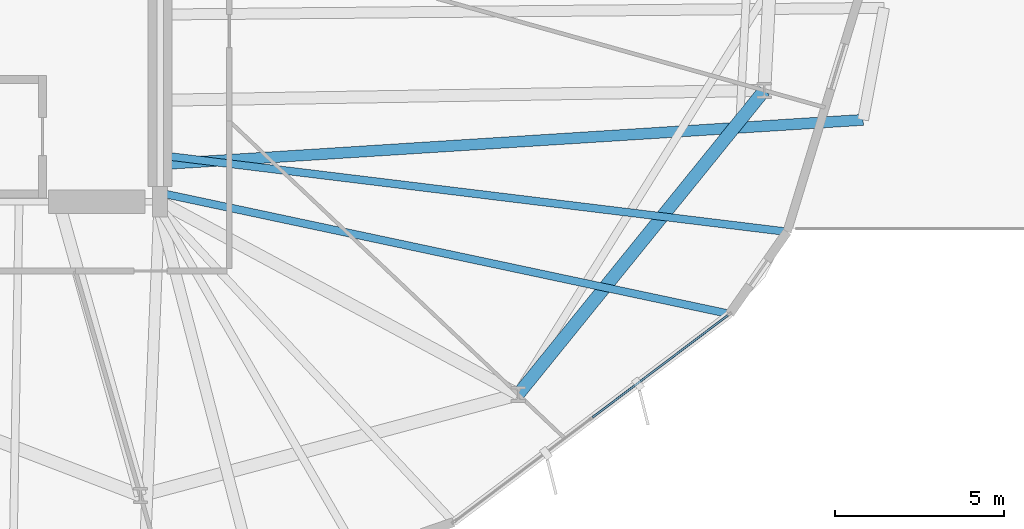
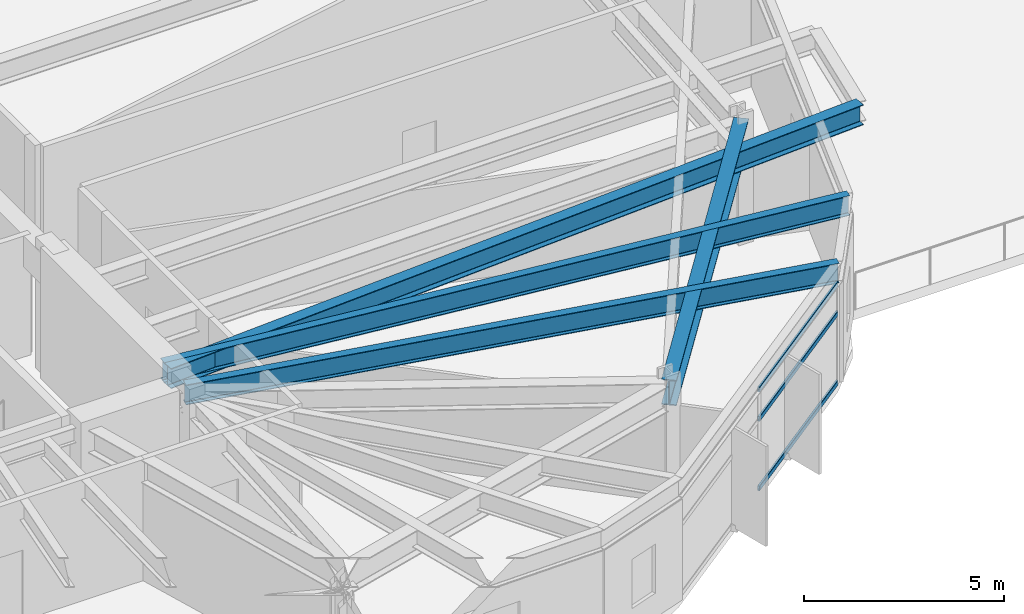
# One storey, part 7 of 23: 4 beams, 3 members, 1 element without a shape of its own.
"""IFC4 building model written with IfcOpenShell, lengths in metres."""

from ifc_helpers import new_model, si_unit, direction, frame, origin, origin_2d, place, context, subcontext, project, spatial, hollow_rectangle, i_section, extrude, material, layer, layer_set, material_profile, profile_set, type_object, element, aggregate, save


model = new_model("IFC4")

# Units and contexts
model_context = context("Model", 3, precision=1e-05, world=origin(), true_north=direction((0.0, 1.0)))
body_context = subcontext(model_context, "Body", "Model", "MODEL_VIEW")
ifc_project = project(units=[si_unit("LENGTHUNIT", "METRE"), si_unit("AREAUNIT", "SQUARE_METRE"), si_unit("VOLUMEUNIT", "CUBIC_METRE"), si_unit("PLANEANGLEUNIT", "RADIAN"), si_unit("MASSUNIT", "GRAM", prefix="KILO")], contexts=[model_context])

# Site, building, storey
site_placement = place(None, origin())
site = spatial("IfcSite", under=ifc_project, at=site_placement, CompositionType="ELEMENT")
building_placement = place(site_placement, origin())
building = spatial("IfcBuilding", under=site, at=building_placement, Name="Soratama Intermodal Tower", CompositionType="ELEMENT")
storey_placement = place(building_placement, frame((0.0, 0.0, 30.60009765625)))
storey = spatial("IfcBuildingStorey", under=building, at=storey_placement, Name="L06", CompositionType="ELEMENT", Elevation=30.60009765625)

# Beams
ifc_material_1 = material(Name="Structural steel ASTM A992 Grade 50", Category="steel")
ifc_material_profile_1 = material_profile(ifc_material_1, i_section(OverallWidth=0.324951171875, OverallDepth=0.615966796875, WebThickness=0.013916015625, FlangeThickness=0.021484375, FilletRadius=0.013916015625, at=origin_2d()), Name="W24X117")
ifc_profile_set_1 = profile_set([ifc_material_profile_1], Name="Structural steel ASTM A992 Grade 50")
beam_type_1 = type_object("IfcBeamType", Name="BM-CANT-W24X117", PredefinedType="BEAM", material=ifc_profile_set_1)
beam_1_placement = place(storey_placement, frame((44.639892578125, 16.10791015625, 3.391845703125), z_axis=(0.99800594985, 0.063119918129, 0.0), x_axis=(-0.063119918129, 0.99800594985, 0.0)))
element("IfcBeam", 1, at=beam_1_placement, inside=storey, type_object=beam_type_1, Name="BM-L06-CANT-1-1", PredefinedType="BEAM", context=body_context, shape_type="SweptSolid", body=[
    extrude(i_section(OverallWidth=0.324951171875, OverallDepth=0.615966796875, WebThickness=0.013916015625, FlangeThickness=0.021484375, FilletRadius=0.013916015625, at=origin_2d()), origin(), (0.0, 0.0, 1.0), 20.801513671875),
])
ifc_material_2 = material(Name="Structural steel ASTM A992 Grade 50", Category="steel")
ifc_material_profile_2 = material_profile(ifc_material_2, i_section(OverallWidth=0.382080078125, OverallDepth=0.779052734375, WebThickness=0.01806640625, FlangeThickness=0.030029296875, FilletRadius=0.01806640625, at=origin_2d()), Name="W30X191")
ifc_profile_set_2 = profile_set([ifc_material_profile_2], Name="Structural steel ASTM A992 Grade 50")
beam_type_2 = type_object("IfcBeamType", Name="BM-RING-W30X191", PredefinedType="BEAM", material=ifc_profile_set_2)
beam_2_placement = place(storey_placement, frame((55.196044921875, 9.300048828125, 3.310302734375), z_axis=(0.629334198857, 0.777134779912, 0.0), x_axis=(-0.777134779912, 0.629334198857, 0.0)))
element("IfcBeam", 2, at=beam_2_placement, inside=storey, type_object=beam_type_2, Name="BM-L06-RING-09", PredefinedType="BEAM", context=body_context, shape_type="SweptSolid", body=[
    extrude(i_section(OverallWidth=0.382080078125, OverallDepth=0.779052734375, WebThickness=0.01806640625, FlangeThickness=0.030029296875, FilletRadius=0.01806640625, at=origin_2d()), origin(), (0.0, 0.0, 1.0), 11.5693359375),
])
ifc_material_3 = material(Name="Structural steel ASTM A992 Grade 50", Category="steel")
ifc_material_profile_3 = material_profile(ifc_material_3, i_section(OverallWidth=0.22900390625, OverallDepth=0.612060546875, WebThickness=0.011962890625, FlangeThickness=0.01953125, FilletRadius=0.012939453125, at=origin_2d()), Name="W24X84")
ifc_profile_set_3 = profile_set([ifc_material_profile_3], Name="Structural steel ASTM A992 Grade 50")
beam_type_3 = type_object("IfcBeamType", Name="BM-TIE-W24X84", PredefinedType="BEAM", material=ifc_profile_set_3)
beam_3_placement = place(storey_placement, frame((44.638916015625, 15.2509765625, 3.393798828125), z_axis=(0.97815848995, -0.207860454486, 0.0), x_axis=(0.207860454486, 0.97815848995, 0.0)))
element("IfcBeam", 3, at=beam_3_placement, inside=storey, type_object=beam_type_3, Name="BM-L06-TIE1-09", PredefinedType="BEAM", context=body_context, shape_type="SweptSolid", body=[
    extrude(i_section(OverallWidth=0.22900390625, OverallDepth=0.612060546875, WebThickness=0.011962890625, FlangeThickness=0.01953125, FilletRadius=0.012939453125, at=origin_2d()), origin(), (0.0, 0.0, 1.0), 17.189453125),
])
beam_4_placement = place(storey_placement, frame((44.639892578125, 16.368896484375, 3.393798828125), z_axis=(0.99263179153, -0.121169824804, 0.0), x_axis=(0.121169824804, 0.99263179153, 0.0)))
element("IfcBeam", 4, at=beam_4_placement, inside=storey, type_object=beam_type_3, Name="BM-L06-TIE0-10", PredefinedType="BEAM", context=body_context, shape_type="SweptSolid", body=[
    extrude(i_section(OverallWidth=0.22900390625, OverallDepth=0.612060546875, WebThickness=0.011962890625, FlangeThickness=0.01953125, FilletRadius=0.012939453125, at=origin_2d()), origin(), (0.0, 0.0, 1.0), 18.651611328125),
])

# Curtain wall, members
ifc_material_4 = material(Name="Double-glazed aluminium curtain wall", Category="aluminium")
ifc_layer = layer(ifc_material_4, 0.159912109375)
ifc_layer_set = layer_set([ifc_layer], Name="Double-glazed aluminium curtain wall")
curtain_wall_type = type_object("IfcCurtainWallType", Name="CW-SYS-2", PredefinedType="NOTDEFINED", material=ifc_layer_set)
curtain_wall_placement = place(storey_placement, origin())
curtain_wall = element("IfcCurtainWall", 5, at=curtain_wall_placement, inside=storey, type_object=curtain_wall_type, Name="L06 Faceted Curtain Wall F09", PredefinedType="NOTDEFINED")
ifc_material_5 = material(Name="Anodised aluminium AA 6063-T6", Category="aluminium")
ifc_material_profile_4 = material_profile(ifc_material_5, hollow_rectangle(XDim=0.06494140625, YDim=0.14990234375, WallThickness=0.0048828125, InnerFilletRadius=0.0048828125, OuterFilletRadius=0.010009765625, at=origin_2d()), Name="CWT150X65X5")
ifc_profile_set_4 = profile_set([ifc_material_profile_4], Name="Anodised aluminium AA 6063-T6")
member_type = type_object("IfcMemberType", Name="TT-CWT-1", PredefinedType="USERDEFINED", material=ifc_profile_set_4)
member_1_placement = place(storey_placement, frame((57.392578125, 8.6162109375, 0.02978515625), z_axis=(0.798423137719, 0.602096747338, 0.0), x_axis=(-0.602096747338, 0.798423137719, 0.0)))
member_1 = element("IfcMember", 6, at=member_1_placement, type_object=member_type, Name="CW-2 transom 2.1", ObjectType="TRANSOM", PredefinedType="USERDEFINED", context=body_context, shape_type="SweptSolid", body=[
    extrude(hollow_rectangle(XDim=0.06494140625, YDim=0.14990234375, WallThickness=0.0048828125, InnerFilletRadius=0.0048828125, OuterFilletRadius=0.010009765625, at=origin_2d()), origin(), (0.0, 0.0, 1.0), 5.025146484375),
])
member_2_placement = place(storey_placement, frame((57.392578125, 8.6162109375, 2.14990234375), z_axis=(0.798423137719, 0.602096747338, 0.0), x_axis=(-0.602096747338, 0.798423137719, 0.0)))
member_2 = element("IfcMember", 7, at=member_2_placement, type_object=member_type, Name="CW-2 transom 2.2", ObjectType="TRANSOM", PredefinedType="USERDEFINED", context=body_context, shape_type="SweptSolid", body=[
    extrude(hollow_rectangle(XDim=0.06494140625, YDim=0.14990234375, WallThickness=0.0048828125, InnerFilletRadius=0.0048828125, OuterFilletRadius=0.010009765625, at=origin_2d()), origin(), (0.0, 0.0, 1.0), 5.025146484375),
])
member_3_placement = place(storey_placement, frame((57.392578125, 8.6162109375, 3.048828125), z_axis=(0.798423137719, 0.602096747338, 0.0), x_axis=(-0.602096747338, 0.798423137719, 0.0)))
member_3 = element("IfcMember", 8, at=member_3_placement, type_object=member_type, Name="CW-2 transom 2.3", ObjectType="TRANSOM", PredefinedType="USERDEFINED", context=body_context, shape_type="SweptSolid", body=[
    extrude(hollow_rectangle(XDim=0.06494140625, YDim=0.14990234375, WallThickness=0.0048828125, InnerFilletRadius=0.0048828125, OuterFilletRadius=0.010009765625, at=origin_2d()), origin(), (0.0, 0.0, 1.0), 5.025146484375),
])
aggregate(curtain_wall, [member_1, member_2, member_3])

save(model, "model.ifc")
